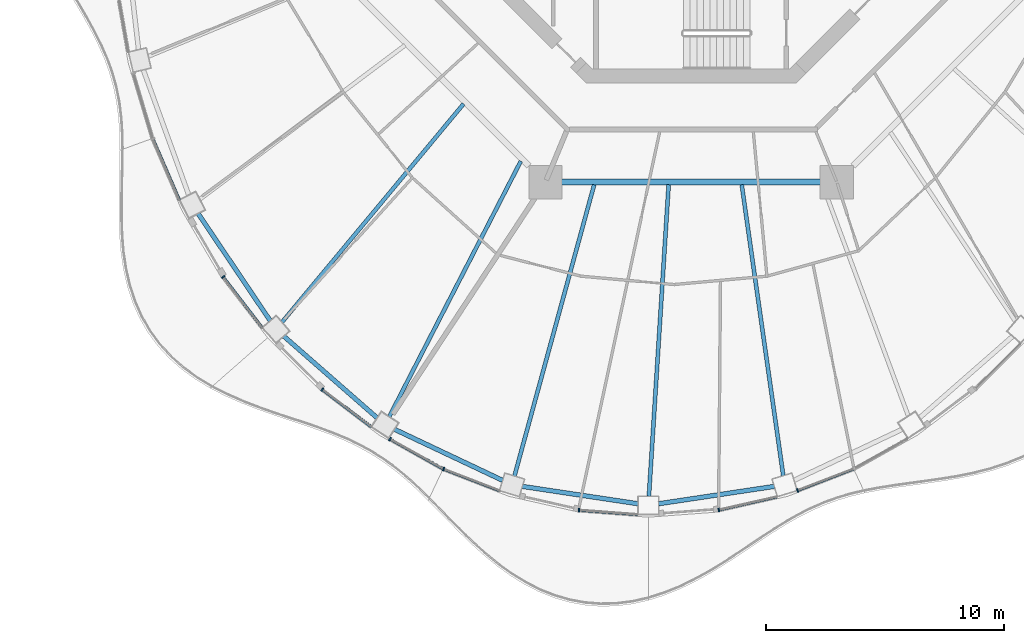
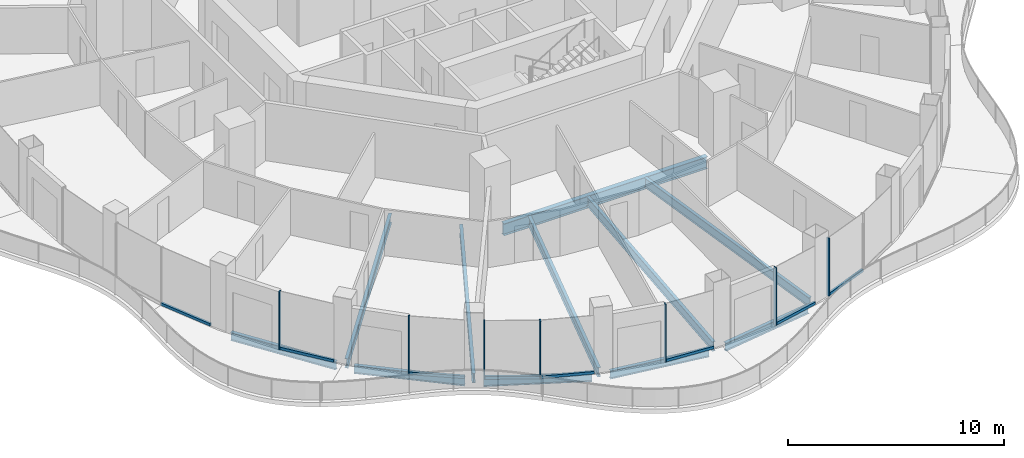
# One storey, part 2 of 17: 15 members, 11 beams, 8 elements without a shape of their own.
"""IFC4 building model written with IfcOpenShell, lengths in metres."""

from ifc_helpers import new_model, si_unit, direction, frame, origin, origin_2d, place, context, subcontext, project, spatial, rectangle, i_section, extrude, material, layer, layer_set, material_profile, profile_set, type_object, element, aggregate, save


model = new_model("IFC4")

# Units and contexts
model_context = context("Model", 3, precision=1e-05, world=origin(), true_north=direction((0.0, 1.0)))
body_context = subcontext(model_context, "Body", "Model", "MODEL_VIEW")
ifc_project = project(units=[si_unit("LENGTHUNIT", "METRE"), si_unit("AREAUNIT", "SQUARE_METRE"), si_unit("VOLUMEUNIT", "CUBIC_METRE"), si_unit("PLANEANGLEUNIT", "RADIAN"), si_unit("MASSUNIT", "GRAM", prefix="KILO")], contexts=[model_context])

# Site, building, storey
site_placement = place(None, origin())
site = spatial("IfcSite", under=ifc_project, at=site_placement, CompositionType="ELEMENT")
building_placement = place(site_placement, origin())
building = spatial("IfcBuilding", under=site, at=building_placement, Name="Nagisa Residences", CompositionType="ELEMENT")
storey_placement = place(building_placement, frame((0.0, 0.0, 295.5)))
storey = spatial("IfcBuildingStorey", under=building, at=storey_placement, Name="L75", CompositionType="ELEMENT", Elevation=295.5)

# Curtain wall, member
ifc_material_1 = material(Name="Concrete-coloured aluminium curtain wall system", Category="concrete")
ifc_layer = layer(ifc_material_1, 0.159912109375)
ifc_layer_set = layer_set([ifc_layer], Name="CW1 CURTAIN WALL")
curtain_wall_type = type_object("IfcCurtainWallType", Name="CW1 CURTAIN WALL", PredefinedType="NOTDEFINED", material=ifc_layer_set)
curtain_wall_1_placement = place(storey_placement, origin())
curtain_wall_1 = element("IfcCurtainWall", 1, at=curtain_wall_1_placement, inside=storey, type_object=curtain_wall_type, Name="cw:CW1:L75:29", PredefinedType="NOTDEFINED")
ifc_material_2 = material(Name="Concrete-coloured aluminium", Category="concrete")
ifc_material_profile_1 = material_profile(ifc_material_2, rectangle(XDim=0.159912109375, YDim=0.06005859375, at=origin_2d()), Name="CW1 MULLION 160x60")
ifc_profile_set_1 = profile_set([ifc_material_profile_1], Name="Concrete-coloured aluminium")
member_type_1 = type_object("IfcMemberType", Name="CW1 MULLION 160x60", PredefinedType="MULLION", material=ifc_profile_set_1)
member_1_placement = place(storey_placement, frame((-19.6640625, -18.76220703125, 0.0), z_axis=(0.0, 0.0, 1.0), x_axis=(0.792070340816, 0.610429828235, 0.0)))
member_1 = element("IfcMember", 2, at=member_1_placement, type_object=member_type_1, Name="CW1 mullion", PredefinedType="MULLION", context=body_context, shape_type="SweptSolid", body=[
    extrude(rectangle(XDim=0.159912109375, YDim=0.06005859375, at=origin_2d()), origin(), (0.0, 0.0, 1.0), 3.280029296875),
])

curtain_wall_2_placement = place(storey_placement, origin())
curtain_wall_2 = element("IfcCurtainWall", 3, at=curtain_wall_2_placement, inside=storey, type_object=curtain_wall_type, Name="cw:CW1:L75:31", PredefinedType="NOTDEFINED")
member_2_placement = place(storey_placement, frame((-15.497802734375, -23.4931640625, 0.0), z_axis=(0.0, 0.0, 1.0), x_axis=(0.605255421737, 0.79603132756, 0.0)))
member_2 = element("IfcMember", 4, at=member_2_placement, type_object=member_type_1, Name="CW1 mullion", PredefinedType="MULLION", context=body_context, shape_type="SweptSolid", body=[
    extrude(rectangle(XDim=0.159912109375, YDim=0.06005859375, at=origin_2d()), origin(), (0.0, 0.0, 1.0), 3.280029296875),
])

curtain_wall_3_placement = place(storey_placement, origin())
curtain_wall_3 = element("IfcCurtainWall", 5, at=curtain_wall_3_placement, inside=storey, type_object=curtain_wall_type, Name="cw:CW1:L75:32", PredefinedType="NOTDEFINED")
member_3_placement = place(storey_placement, frame((-12.65234375, -25.57421875, 0.0), z_axis=(0.0, 0.0, 1.0), x_axis=(0.489376918501, 0.872072377523, 0.0)))
member_3 = element("IfcMember", 6, at=member_3_placement, type_object=member_type_1, Name="CW1 mullion", PredefinedType="MULLION", context=body_context, shape_type="SweptSolid", body=[
    extrude(rectangle(XDim=0.159912109375, YDim=0.06005859375, at=origin_2d()), origin(), (0.0, 0.0, 1.0), 3.280029296875),
])

curtain_wall_4_placement = place(storey_placement, origin())
curtain_wall_4 = element("IfcCurtainWall", 7, at=curtain_wall_4_placement, inside=storey, type_object=curtain_wall_type, Name="cw:CW1:L75:33", PredefinedType="NOTDEFINED")
member_4_placement = place(storey_placement, frame((-10.3994140625, -26.83447265625, 0.0), z_axis=(0.0, 0.0, 1.0), x_axis=(0.360327770268, 0.932825759707, 0.0)))
member_4 = element("IfcMember", 8, at=member_4_placement, type_object=member_type_1, Name="CW1 mullion", PredefinedType="MULLION", context=body_context, shape_type="SweptSolid", body=[
    extrude(rectangle(XDim=0.159912109375, YDim=0.06005859375, at=origin_2d()), origin(), (0.0, 0.0, 1.0), 3.280029296875),
])

curtain_wall_5_placement = place(storey_placement, origin())
curtain_wall_5 = element("IfcCurtainWall", 9, at=curtain_wall_5_placement, inside=storey, type_object=curtain_wall_type, Name="cw:CW1:L75:35", PredefinedType="NOTDEFINED")
member_5_placement = place(storey_placement, frame((-4.716552734375, -28.559814453125, 0.0), z_axis=(0.0, 0.0, 1.0), x_axis=(0.074377355493, 0.997230168512, 0.0)))
member_5 = element("IfcMember", 10, at=member_5_placement, type_object=member_type_1, Name="CW1 mullion", PredefinedType="MULLION", context=body_context, shape_type="SweptSolid", body=[
    extrude(rectangle(XDim=0.159912109375, YDim=0.06005859375, at=origin_2d()), origin(), (0.0, 0.0, 1.0), 3.280029296875),
])

curtain_wall_6_placement = place(storey_placement, origin())
curtain_wall_6 = element("IfcCurtainWall", 11, at=curtain_wall_6_placement, inside=storey, type_object=curtain_wall_type, Name="cw:CW1:L75:37", PredefinedType="NOTDEFINED")
member_6_placement = place(storey_placement, frame((1.1640625, -28.552734375, 0.0), z_axis=(0.0, 0.0, 1.0), x_axis=(-0.2207639201, 0.975327274089, 0.0)))
member_6 = element("IfcMember", 12, at=member_6_placement, type_object=member_type_1, Name="CW1 mullion", PredefinedType="MULLION", context=body_context, shape_type="SweptSolid", body=[
    extrude(rectangle(XDim=0.159912109375, YDim=0.06005859375, at=origin_2d()), origin(), (0.0, 0.0, 1.0), 3.280029296875),
])

curtain_wall_7_placement = place(storey_placement, origin())
curtain_wall_7 = element("IfcCurtainWall", 13, at=curtain_wall_7_placement, inside=storey, type_object=curtain_wall_type, Name="cw:CW1:L75:38", PredefinedType="NOTDEFINED")
member_7_placement = place(storey_placement, frame((4.473388671875, -27.733154296875, 0.0), z_axis=(0.0, 0.0, 1.0), x_axis=(-0.360327770268, 0.932825759707, 0.0)))
member_7 = element("IfcMember", 14, at=member_7_placement, type_object=member_type_1, Name="CW1 mullion", PredefinedType="MULLION", context=body_context, shape_type="SweptSolid", body=[
    extrude(rectangle(XDim=0.159912109375, YDim=0.06005859375, at=origin_2d()), origin(), (0.0, 0.0, 1.0), 3.280029296875),
])

curtain_wall_8_placement = place(storey_placement, origin())
curtain_wall_8 = element("IfcCurtainWall", 15, at=curtain_wall_8_placement, inside=storey, type_object=curtain_wall_type, Name="cw:CW1:L75:27", PredefinedType="NOTDEFINED")
ifc_material_3 = material(Name="Concrete-coloured aluminium", Category="concrete")
ifc_material_profile_2 = material_profile(ifc_material_3, rectangle(XDim=0.1201171875, YDim=0.14990234375, at=origin_2d()), Name="CW1 TRANSOM 120x150")
ifc_profile_set_2 = profile_set([ifc_material_profile_2], Name="Concrete-coloured aluminium")
member_type_2 = type_object("IfcMemberType", Name="CW1 TRANSOM 120x150", PredefinedType="USERDEFINED", material=ifc_profile_set_2)
member_8_placement = place(storey_placement, frame((-22.624755859375, -12.93603515625, 0.074951171875), z_axis=(0.397597791596, -0.9175598052, 0.0), x_axis=(0.9175598052, 0.397597791596, 0.0)))
member_8 = element("IfcMember", 16, at=member_8_placement, type_object=member_type_2, Name="CW1 transom", ObjectType="TRANSOM", PredefinedType="USERDEFINED", context=body_context, shape_type="SweptSolid", body=[
    extrude(rectangle(XDim=0.1201171875, YDim=0.14990234375, at=origin_2d()), origin(), (0.0, 0.0, 1.0), 2.841064453125),
])
aggregate(curtain_wall_8, [member_8])

# Member
member_9_placement = place(storey_placement, frame((-19.682373046875, -18.73828125, 0.074951171875), z_axis=(0.610432336622, -0.792068407656, 0.0), x_axis=(0.792068407656, 0.610432336622, 0.0)))
member_9 = element("IfcMember", 17, at=member_9_placement, type_object=member_type_2, Name="CW1 transom", ObjectType="TRANSOM", PredefinedType="USERDEFINED", context=body_context, shape_type="SweptSolid", body=[
    extrude(rectangle(XDim=0.1201171875, YDim=0.14990234375, at=origin_2d()), origin(), (0.0, 0.0, 1.0), 2.74609375),
])

aggregate(curtain_wall_1, [member_1, member_9])

member_10_placement = place(storey_placement, frame((-15.521728515625, -23.474853515625, 0.074951171875), z_axis=(0.796010739377, -0.605282498339, 0.0), x_axis=(0.605282498339, 0.796010739377, 0.0)))
member_10 = element("IfcMember", 18, at=member_10_placement, type_object=member_type_2, Name="CW1 transom", ObjectType="TRANSOM", PredefinedType="USERDEFINED", context=body_context, shape_type="SweptSolid", body=[
    extrude(rectangle(XDim=0.1201171875, YDim=0.14990234375, at=origin_2d()), origin(), (0.0, 0.0, 1.0), 2.640625),
])

aggregate(curtain_wall_2, [member_2, member_10])

member_11_placement = place(storey_placement, frame((-12.678466796875, -25.5595703125, 0.074951171875), z_axis=(0.872052877201, -0.489411666561, 0.0), x_axis=(0.489411666561, 0.872052877201, 0.0)))
member_11 = element("IfcMember", 19, at=member_11_placement, type_object=member_type_2, Name="CW1 transom", ObjectType="TRANSOM", PredefinedType="USERDEFINED", context=body_context, shape_type="SweptSolid", body=[
    extrude(rectangle(XDim=0.1201171875, YDim=0.14990234375, at=origin_2d()), origin(), (0.0, 0.0, 1.0), 2.593017578125),
])

aggregate(curtain_wall_3, [member_3, member_11])

member_12_placement = place(storey_placement, frame((-10.427490234375, -26.82373046875, 0.074951171875), z_axis=(0.93282223778, -0.360336887792, 0.0), x_axis=(0.360336887792, 0.93282223778, 0.0)))
member_12 = element("IfcMember", 20, at=member_12_placement, type_object=member_type_2, Name="CW1 transom", ObjectType="TRANSOM", PredefinedType="USERDEFINED", context=body_context, shape_type="SweptSolid", body=[
    extrude(rectangle(XDim=0.1201171875, YDim=0.14990234375, at=origin_2d()), origin(), (0.0, 0.0, 1.0), 2.5537109375),
])

aggregate(curtain_wall_4, [member_4, member_12])

member_13_placement = place(storey_placement, frame((-4.74658203125, -28.5576171875, 0.074951171875), z_axis=(0.99722914645, -0.074391057731, 0.0), x_axis=(0.074391057731, 0.99722914645, 0.0)))
member_13 = element("IfcMember", 21, at=member_13_placement, type_object=member_type_2, Name="CW1 transom", ObjectType="TRANSOM", PredefinedType="USERDEFINED", context=body_context, shape_type="SweptSolid", body=[
    extrude(rectangle(XDim=0.1201171875, YDim=0.14990234375, at=origin_2d()), origin(), (0.0, 0.0, 1.0), 2.510498046875),
])

aggregate(curtain_wall_5, [member_5, member_13])

member_14_placement = place(storey_placement, frame((1.134765625, -28.5595703125, 0.074951171875), z_axis=(0.975319584032, 0.220797891756, 0.0), x_axis=(-0.220797891756, 0.975319584032, 0.0)))
member_14 = element("IfcMember", 22, at=member_14_placement, type_object=member_type_2, Name="CW1 transom", ObjectType="TRANSOM", PredefinedType="USERDEFINED", context=body_context, shape_type="SweptSolid", body=[
    extrude(rectangle(XDim=0.1201171875, YDim=0.14990234375, at=origin_2d()), origin(), (0.0, 0.0, 1.0), 2.525390625),
])

aggregate(curtain_wall_6, [member_6, member_14])

member_15_placement = place(storey_placement, frame((4.4453125, -27.743896484375, 0.074951171875), z_axis=(0.93282223778, 0.360336887792, 0.0), x_axis=(-0.360336887792, 0.93282223778, 0.0)))
member_15 = element("IfcMember", 23, at=member_15_placement, type_object=member_type_2, Name="CW1 transom", ObjectType="TRANSOM", PredefinedType="USERDEFINED", context=body_context, shape_type="SweptSolid", body=[
    extrude(rectangle(XDim=0.1201171875, YDim=0.14990234375, at=origin_2d()), origin(), (0.0, 0.0, 1.0), 2.5537109375),
])

aggregate(curtain_wall_7, [member_7, member_15])

# Beams
ifc_material_4 = material(Name="Steel ASTM A572 Gr 50", Category="steel")
ifc_material_profile_3 = material_profile(ifc_material_4, i_section(OverallWidth=0.2529296875, OverallDepth=0.677978515625, WebThickness=0.01171875, FlangeThickness=0.016357421875, at=origin_2d()), Name="W690x125")
ifc_profile_set_3 = profile_set([ifc_material_profile_3], Name="Steel ASTM A572 Gr 50")
beam_type_1 = type_object("IfcBeamType", Name="Inner ring beam W690x125", PredefinedType="BEAM", material=ifc_profile_set_3)
beam_1_placement = place(storey_placement, frame((-5.44287109375, -14.781982421875, -0.59912109375), z_axis=(1.0, 0.0, 0.0), x_axis=(0.0, 1.0, 0.0)))
element("IfcBeam", 24, at=beam_1_placement, inside=storey, type_object=beam_type_1, Name="beam:L75:ib6", PredefinedType="BEAM", context=body_context, shape_type="SweptSolid", body=[
    extrude(i_section(OverallWidth=0.2529296875, OverallDepth=0.677978515625, WebThickness=0.01171875, FlangeThickness=0.016357421875, at=origin_2d()), origin(), (0.0, 0.0, 1.0), 10.8857421875),
])
ifc_material_5 = material(Name="Steel ASTM A572 Gr 50", Category="steel")
ifc_material_profile_4 = material_profile(ifc_material_5, i_section(OverallWidth=0.18994140625, OverallDepth=0.45703125, WebThickness=0.009033203125, FlangeThickness=0.014404296875, at=origin_2d()), Name="W460x74")
ifc_profile_set_4 = profile_set([ifc_material_profile_4], Name="Steel ASTM A572 Gr 50")
beam_type_2 = type_object("IfcBeamType", Name="Perimeter ring beam W460x74", PredefinedType="BEAM", material=ifc_profile_set_4)
beam_2_placement = place(storey_placement, frame((-20.714599609375, -16.097412109375, -0.488525390625), z_axis=(0.558014665254, -0.829831087247, 0.0), x_axis=(0.829831087247, 0.558014665254, 0.0)))
element("IfcBeam", 25, at=beam_2_placement, inside=storey, type_object=beam_type_2, Name="beam:L75:pb15", PredefinedType="BEAM", context=body_context, shape_type="SweptSolid", body=[
    extrude(i_section(OverallWidth=0.18994140625, OverallDepth=0.45703125, WebThickness=0.009033203125, FlangeThickness=0.014404296875, at=origin_2d()), origin(), (0.0, 0.0, 1.0), 5.43212890625),
])
beam_3_placement = place(storey_placement, frame((-17.11474609375, -21.2509765625, -0.488525390625), z_axis=(0.752365189148, -0.658746250204, 0.0), x_axis=(0.658746250204, 0.752365189148, 0.0)))
element("IfcBeam", 26, at=beam_3_placement, inside=storey, type_object=beam_type_2, Name="beam:L75:pb16", PredefinedType="BEAM", context=body_context, shape_type="SweptSolid", body=[
    extrude(i_section(OverallWidth=0.18994140625, OverallDepth=0.45703125, WebThickness=0.009033203125, FlangeThickness=0.014404296875, at=origin_2d()), origin(), (0.0, 0.0, 1.0), 5.220947265625),
])
beam_4_placement = place(storey_placement, frame((-12.46728515625, -25.161865234375, -0.488525390625), z_axis=(0.904115893837, -0.427287316113, 0.0), x_axis=(0.427287316113, 0.904115893837, 0.0)))
element("IfcBeam", 27, at=beam_4_placement, inside=storey, type_object=beam_type_2, Name="beam:L75:pb17", PredefinedType="BEAM", context=body_context, shape_type="SweptSolid", body=[
    extrude(i_section(OverallWidth=0.18994140625, OverallDepth=0.45703125, WebThickness=0.009033203125, FlangeThickness=0.014404296875, at=origin_2d()), origin(), (0.0, 0.0, 1.0), 5.031494140625),
])
beam_5_placement = place(storey_placement, frame((-7.094970703125, -27.562255859375, -0.488525390625), z_axis=(0.98890648267, -0.148539451101, 0.0), x_axis=(0.148539451101, 0.98890648267, 0.0)))
element("IfcBeam", 28, at=beam_5_placement, inside=storey, type_object=beam_type_2, Name="beam:L75:pb18", PredefinedType="BEAM", context=body_context, shape_type="SweptSolid", body=[
    extrude(i_section(OverallWidth=0.18994140625, OverallDepth=0.45703125, WebThickness=0.009033203125, FlangeThickness=0.014404296875, at=origin_2d()), origin(), (0.0, 0.0, 1.0), 4.91943359375),
])
beam_6_placement = place(storey_placement, frame((-1.369873046875, -28.29296875, -0.488525390625), z_axis=(0.988907577601, 0.148532161377, 0.0), x_axis=(-0.148532161377, 0.988907577601, 0.0)))
element("IfcBeam", 29, at=beam_6_placement, inside=storey, type_object=beam_type_2, Name="beam:L75:pb19", PredefinedType="BEAM", context=body_context, shape_type="SweptSolid", body=[
    extrude(i_section(OverallWidth=0.18994140625, OverallDepth=0.45703125, WebThickness=0.009033203125, FlangeThickness=0.014404296875, at=origin_2d()), origin(), (0.0, 0.0, 1.0), 4.919677734375),
])
ifc_material_6 = material(Name="Steel ASTM A572 Gr 50", Category="steel")
ifc_material_profile_5 = material_profile(ifc_material_6, i_section(OverallWidth=0.166015625, OverallDepth=0.534912109375, WebThickness=0.01025390625, FlangeThickness=0.0166015625, at=origin_2d()), Name="W530x85")
ifc_profile_set_5 = profile_set([ifc_material_profile_5], Name="Steel ASTM A572 Gr 50")
beam_type_3 = type_object("IfcBeamType", Name="Radial beam W530x85", PredefinedType="BEAM", material=ifc_profile_set_5)
beam_7_placement = place(storey_placement, frame((-17.195068359375, -20.669189453125, -0.527587890625), z_axis=(0.639540330466, 0.768757546764, 0.0), x_axis=(-0.768757546764, 0.639540330466, 0.0)))
element("IfcBeam", 30, at=beam_7_placement, inside=storey, type_object=beam_type_3, Name="beam:L75:rb16", PredefinedType="BEAM", context=body_context, shape_type="SweptSolid", body=[
    extrude(i_section(OverallWidth=0.166015625, OverallDepth=0.534912109375, WebThickness=0.01025390625, FlangeThickness=0.0166015625, at=origin_2d()), origin(), (0.0, 0.0, 1.0), 11.935302734375),
])
beam_8_placement = place(storey_placement, frame((-12.68505859375, -24.63623046875, -0.527587890625), z_axis=(0.457775990682, 0.88906756906, 0.0), x_axis=(-0.88906756906, 0.457775990682, 0.0)))
element("IfcBeam", 31, at=beam_8_placement, inside=storey, type_object=beam_type_3, Name="beam:L75:rb17", PredefinedType="BEAM", context=body_context, shape_type="SweptSolid", body=[
    extrude(i_section(OverallWidth=0.166015625, OverallDepth=0.534912109375, WebThickness=0.01025390625, FlangeThickness=0.0166015625, at=origin_2d()), origin(), (0.0, 0.0, 1.0), 12.075927734375),
])
beam_9_placement = place(storey_placement, frame((-7.4248046875, -27.130859375, -0.527587890625), z_axis=(0.263957181957, 0.964534398606, 0.0), x_axis=(-0.964534398606, 0.263957181957, 0.0)))
element("IfcBeam", 32, at=beam_9_placement, inside=storey, type_object=beam_type_3, Name="beam:L75:rb18", PredefinedType="BEAM", context=body_context, shape_type="SweptSolid", body=[
    extrude(i_section(OverallWidth=0.166015625, OverallDepth=0.534912109375, WebThickness=0.01025390625, FlangeThickness=0.0166015625, at=origin_2d()), origin(), (0.0, 0.0, 1.0), 12.69189453125),
])
beam_10_placement = place(storey_placement, frame((-1.77587890625, -27.9775390625, -0.527587890625), z_axis=(0.06334711, 0.997991554901, 0.0), x_axis=(-0.997991554901, 0.06334711, 0.0)))
element("IfcBeam", 33, at=beam_10_placement, inside=storey, type_object=beam_type_3, Name="beam:L75:rb19", PredefinedType="BEAM", context=body_context, shape_type="SweptSolid", body=[
    extrude(i_section(OverallWidth=0.166015625, OverallDepth=0.534912109375, WebThickness=0.01025390625, FlangeThickness=0.0166015625, at=origin_2d()), origin(), (0.0, 0.0, 1.0), 13.115234375),
])
beam_11_placement = place(storey_placement, frame((3.87060546875, -27.11669921875, -0.527587890625), z_axis=(-0.141302367909, 0.989966484697, 0.0), x_axis=(-0.989966484697, -0.141302367909, 0.0)))
element("IfcBeam", 34, at=beam_11_placement, inside=storey, type_object=beam_type_3, Name="beam:L75:rb20", PredefinedType="BEAM", context=body_context, shape_type="SweptSolid", body=[
    extrude(i_section(OverallWidth=0.166015625, OverallDepth=0.534912109375, WebThickness=0.01025390625, FlangeThickness=0.0166015625, at=origin_2d()), origin(), (0.0, 0.0, 1.0), 12.35205078125),
])

save(model, "model.ifc")
